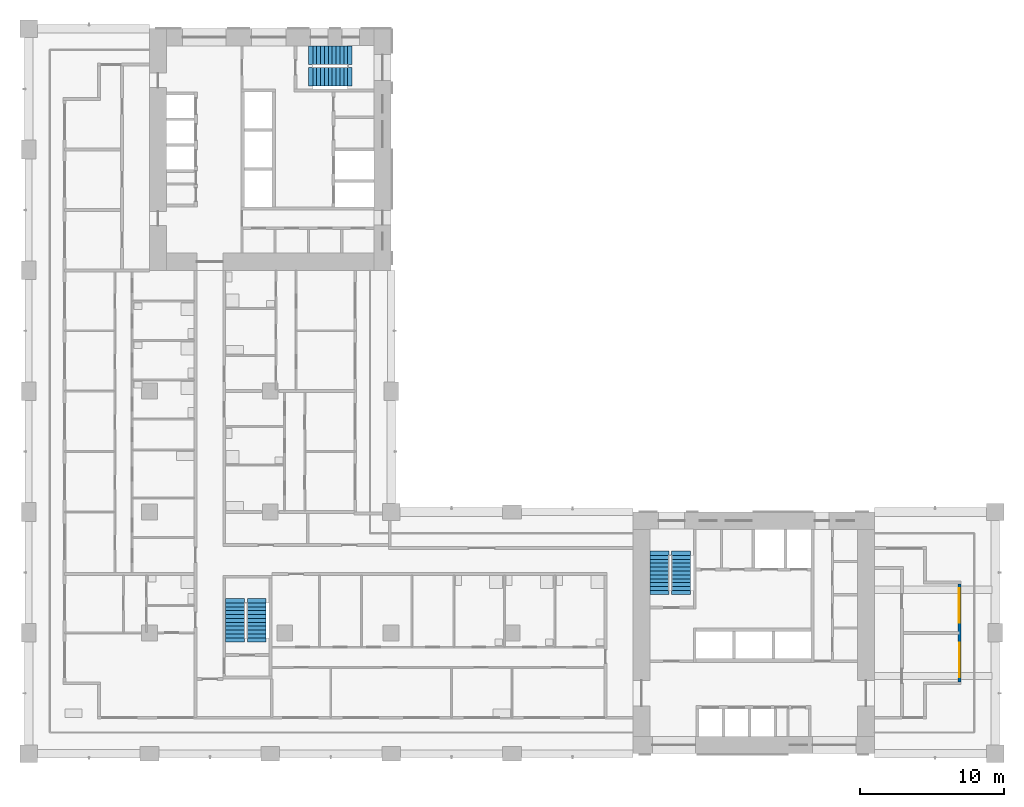
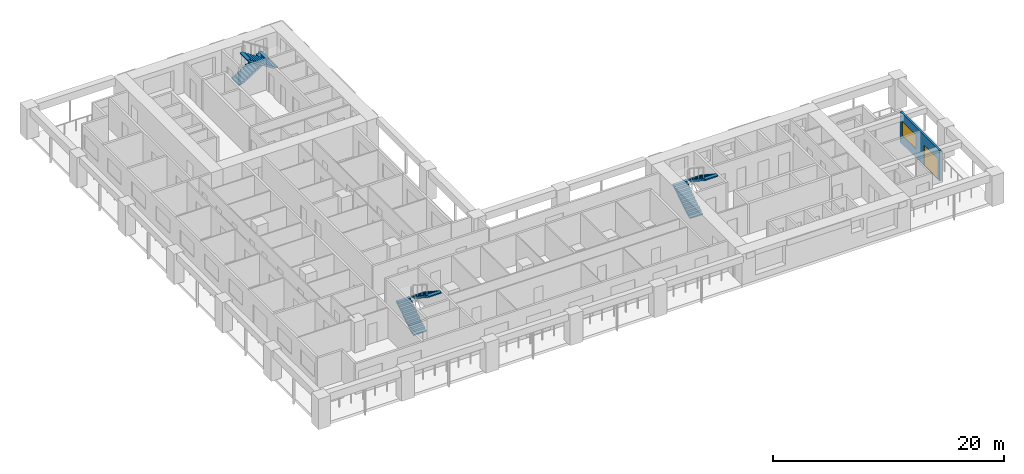
# One storey, part 9 of 17: 6 stair flights, 1 door, 1 wall, 1 window, 2 openings, 3 elements without a shape of their own.
"""IFC4 building model written with IfcOpenShell, lengths in metres."""

import ifcopenshell
import ifcopenshell.guid

model = None  # the IFC model being written
_history = None  # IfcOwnerHistory: only IFC2X3 demands one
_inside = {}  # id of a spatial element -> (the spatial element, [elements in it])
_under = {}  # id of a project, library or spatial element -> (it, [spatial elements below it])
_declared = {}  # id of a project -> (the project, [libraries it declares])
_typed = {}  # id of a type object -> (the type object, [elements of that type])
_made_of = {}  # id of a material, layer set ... -> (it, [elements and type objects made of it])


def new_model(schema):
    """Start an empty IFC model of exactly this schema.

    Asked for "IFC4X3", IfcOpenShell would pick the latest addendum, in which some entities
    have other attributes; the version numbers below select the first issue.
    IFC2X3 requires an IfcOwnerHistory on every rooted entity: one is made here for all.
    """
    global model, _history
    if schema == "IFC4X3":
        model = ifcopenshell.file(schema_version=(4, 3, 0, 0))
    else:
        model = ifcopenshell.file(schema=schema)
    _inside.clear()
    _under.clear()
    _declared.clear()
    _typed.clear()
    _made_of.clear()
    _history = None
    if model.schema == "IFC2X3":
        org = make("IfcOrganization", Name="unknown")
        user = make(
            "IfcPersonAndOrganization",
            ThePerson=make("IfcPerson", FamilyName="unknown"),
            TheOrganization=org,
        )
        app = make(
            "IfcApplication",
            ApplicationDeveloper=org,
            Version="unknown",
            ApplicationFullName="unknown",
            ApplicationIdentifier="unknown",
        )
        _history = make(
            "IfcOwnerHistory",
            OwningUser=user,
            OwningApplication=app,
            ChangeAction="ADDED",
            CreationDate=0,
        )
    return model


def make(cls, **values):
    """One entity of the class cls with the attributes given. An attribute that is None is left unset."""
    return model.create_entity(
        cls, **{name: value for name, value in values.items() if value is not None}
    )


def rooted(cls, **values):
    """An entity with a GlobalId (a new one), such as an element, a storey or a relation."""
    return make(cls, GlobalId=ifcopenshell.guid.new(), OwnerHistory=_history, **values)


def si_unit(unit_type, name, prefix=None):
    """IfcSIUnit, for example si_unit("LENGTHUNIT", "METRE", prefix="MILLI")."""
    return make("IfcSIUnit", UnitType=unit_type, Prefix=prefix, Name=name)


def assignment(units):
    """IfcUnitAssignment: the units of a project."""
    return None if units is None else make("IfcUnitAssignment", Units=units)


def point(xyz):
    """IfcCartesianPoint."""
    return None if xyz is None else make("IfcCartesianPoint", Coordinates=xyz)


def direction(xyz):
    """IfcDirection."""
    return None if xyz is None else make("IfcDirection", DirectionRatios=xyz)


def frame(location, z_axis=None, x_axis=None):
    """IfcAxis2Placement3D, a coordinate frame: its origin and axes. An axis left out is left unset."""
    return make(
        "IfcAxis2Placement3D",
        Location=point(location),
        Axis=direction(z_axis),
        RefDirection=direction(x_axis),
    )


def frame_2d(location, x_axis=None):
    """IfcAxis2Placement2D, a coordinate frame in the plane: its origin and x axis."""
    return make(
        "IfcAxis2Placement2D", Location=point(location), RefDirection=direction(x_axis)
    )


def origin():
    """The frame at (0, 0, 0) with its axes left unset."""
    return frame((0.0, 0.0, 0.0))


def place(relative_to, where):
    """IfcLocalPlacement: puts the frame where relative to a parent placement (None: the world)."""
    return make(
        "IfcLocalPlacement", PlacementRelTo=relative_to, RelativePlacement=where
    )


def context(
    kind, dimensions, precision=None, world=None, true_north=None, identifier=None
):
    """IfcGeometricRepresentationContext, for example the 3D "Model" context."""
    return make(
        "IfcGeometricRepresentationContext",
        ContextIdentifier=identifier,
        ContextType=kind,
        CoordinateSpaceDimension=dimensions,
        Precision=precision,
        WorldCoordinateSystem=world,
        TrueNorth=true_north,
    )


def subcontext(parent, identifier, kind, view, scale=None):
    """IfcGeometricRepresentationSubContext, for example "Body" below "Model"."""
    return make(
        "IfcGeometricRepresentationSubContext",
        ContextIdentifier=identifier,
        ContextType=kind,
        ParentContext=parent,
        TargetScale=scale,
        TargetView=view,
    )


def project(units=None, contexts=None):
    """IfcProject with its units and contexts."""
    return rooted(
        "IfcProject",
        Name="project",
        RepresentationContexts=contexts,
        UnitsInContext=assignment(units),
    )


def spatial(cls, under=None, at=None, **own):
    """A site, building, storey or space (cls), placed at a placement, below another one or the project."""
    s = rooted(cls, ObjectPlacement=at, **own)
    if under is not None:
        _under.setdefault(under.id(), (under, []))[1].append(s)
    return s


def polyline(points):
    """IfcPolyline through the points."""
    return make("IfcPolyline", Points=[point(p) for p in points])


def profile(cls, at=None, kind="AREA", **sizes):
    """A parametric profile (cls). Its sizes go by their IFC names, for example OverallWidth=200.0."""
    return make(cls, ProfileType=kind, Position=at, **sizes)


def rectangle(**sizes):
    """IfcRectangleProfileDef."""
    return profile("IfcRectangleProfileDef", **sizes)


def outline(outer, holes=None, kind="AREA"):
    """IfcArbitraryClosedProfileDef: a profile drawn as a closed curve; with holes, ...WithVoids."""
    if holes is None:
        return make("IfcArbitraryClosedProfileDef", ProfileType=kind, OuterCurve=outer)
    return make(
        "IfcArbitraryProfileDefWithVoids",
        ProfileType=kind,
        OuterCurve=outer,
        InnerCurves=holes,
    )


def extrude(swept, where, along, depth):
    """IfcExtrudedAreaSolid: the profile swept, set in the frame where, extruded along a direction by depth."""
    return make(
        "IfcExtrudedAreaSolid",
        SweptArea=swept,
        Position=where,
        ExtrudedDirection=direction(along),
        Depth=depth,
    )


def shape(context_of_items, identifier, shape_type, items):
    """IfcShapeRepresentation: the items that make up one representation, for example the "Body"."""
    return make(
        "IfcShapeRepresentation",
        ContextOfItems=context_of_items,
        RepresentationIdentifier=identifier,
        RepresentationType=shape_type,
        Items=items,
    )


def material(Name=None, Category=None):
    """IfcMaterial."""
    return make("IfcMaterial", Name=Name, Category=Category)


def layer(
    of_material, thickness, ventilated=None, Name=None, Category=None, Priority=None
):
    """IfcMaterialLayer: one layer of a wall or slab, of a material (None: an air gap)."""
    return make(
        "IfcMaterialLayer",
        Material=of_material,
        LayerThickness=thickness,
        IsVentilated=ventilated,
        Name=Name,
        Category=Category,
        Priority=Priority,
    )


def layer_set(layers, Name=None):
    """IfcMaterialLayerSet."""
    return make("IfcMaterialLayerSet", MaterialLayers=layers, LayerSetName=Name)


def made_of(thing, what):
    """Note that an element or type object is made of a material, layer set ...; save() writes the relation."""
    if what is not None:
        _made_of.setdefault(what.id(), (what, []))[1].append(thing)
    return thing


def type_object(cls, material=None, **own):
    """A type object (cls), such as IfcWallType, which elements share."""
    return made_of(rooted(cls, **own), material)


def element(
    cls,
    number,
    at=None,
    inside=None,
    cuts=None,
    type_object=None,
    material=None,
    context=None,
    identifier="Body",
    shape_type=None,
    held_by="IfcProductDefinitionShape",
    body=None,
    shapes=None,
    **own,
):
    """One element of the class cls, such as IfcWall. Its Tag is "e" and its number.

    at: its placement. inside: the storey or other place that contains it. cuts: it is an
    opening in that element (IfcRelVoidsElement). A single representation is given by context,
    identifier, shape_type and body (its items); several are given by shapes. held_by: the class
    of the entity that holds the representations. save() writes the other relations.
    """
    e = rooted(cls, Tag="e%d" % number, ObjectPlacement=at, **own)
    if body is not None:
        shapes = [shape(context, identifier, shape_type, body)]
    if shapes is not None:
        e.Representation = make(held_by, Representations=shapes)
    if inside is not None:
        _inside.setdefault(inside.id(), (inside, []))[1].append(e)
    if cuts is not None:
        rooted(
            "IfcRelVoidsElement", RelatingBuildingElement=cuts, RelatedOpeningElement=e
        )
    if type_object is not None:
        _typed.setdefault(type_object.id(), (type_object, []))[1].append(e)
    return made_of(e, material)


def fill(opening, filler):
    """IfcRelFillsElement: the door or window that sits in an opening."""
    return rooted(
        "IfcRelFillsElement",
        RelatingOpeningElement=opening,
        RelatedBuildingElement=filler,
    )


def aggregate(whole, parts):
    """IfcRelAggregates: a whole, such as a stair, and the parts it consists of."""
    return rooted("IfcRelAggregates", RelatingObject=whole, RelatedObjects=parts)


def save(model, path):
    """Write the relations noted so far, then the file.

    IfcRelAggregates (storeys below a building ...), IfcRelContainedInSpatialStructure (elements
    in a storey), IfcRelDefinesByType, IfcRelAssociatesMaterial and IfcRelDeclares: one each for
    every whole, place, type object, material and project.
    """
    for whole, parts in _under.values():
        aggregate(whole, parts)
    for where, things in _inside.values():
        rooted(
            "IfcRelContainedInSpatialStructure",
            RelatedElements=things,
            RelatingStructure=where,
        )
    for kind, things in _typed.values():
        rooted("IfcRelDefinesByType", RelatedObjects=things, RelatingType=kind)
    for what, things in _made_of.values():
        rooted("IfcRelAssociatesMaterial", RelatedObjects=things, RelatingMaterial=what)
    for by, libraries in _declared.values():
        rooted("IfcRelDeclares", RelatingContext=by, RelatedDefinitions=libraries)
    model.write(path)


model = new_model("IFC4")

# Units and contexts
model_context = context("Model", 3, precision=1e-05, world=origin(), true_north=direction((0.0, 1.0)))
body_context = subcontext(model_context, "Body", "Model", "MODEL_VIEW")
ifc_project = project(units=[si_unit("LENGTHUNIT", "METRE"), si_unit("AREAUNIT", "SQUARE_METRE"), si_unit("VOLUMEUNIT", "CUBIC_METRE"), si_unit("PLANEANGLEUNIT", "RADIAN"), si_unit("MASSUNIT", "GRAM", prefix="KILO")], contexts=[model_context])

# Site, building, storey
site_placement = place(None, origin())
site = spatial("IfcSite", under=ifc_project, at=site_placement, CompositionType="ELEMENT")
building_placement = place(site_placement, origin())
building = spatial("IfcBuilding", under=site, at=building_placement, Name="Vermilion Gate Residences", CompositionType="ELEMENT")
storey_placement = place(building_placement, frame((0.0, 0.0, 91.699951171875)))
storey = spatial("IfcBuildingStorey", under=building, at=storey_placement, Name="L22", CompositionType="ELEMENT", Elevation=91.699951171875)

# Wall, openings, door, window
ifc_material_1 = material(Name="Insulated steel stud wall with terracotta rainscreen", Category="masonry")
ifc_layer = layer(ifc_material_1, 0.199951171875)
ifc_layer_set = layer_set([ifc_layer], Name="EXTERNAL WALL 200 TERRACOTTA RAINSCREEN")
wall_type = type_object("IfcWallType", Name="EXTERNAL WALL 200 TERRACOTTA RAINSCREEN", PredefinedType="SOLIDWALL", material=ifc_layer_set)
wall_placement = place(storey_placement, frame((64.699951171875, 13.39990234375, 0.0), z_axis=(0.0, 0.0, 1.0), x_axis=(0.0, 1.0, 0.0)))
wall = element("IfcWall", 1, at=wall_placement, inside=storey, type_object=wall_type, Name="External wall", PredefinedType="SOLIDWALL", context=body_context, shape_type="SweptSolid", body=[
    extrude(rectangle(XDim=6.800048828125, YDim=0.199951171875, at=frame_2d((3.39990234375, 0.0))), origin(), (0.0, 0.0, 1.0), 3.219970703125),
])
opening_1_placement = place(wall_placement, frame((4.10009765625, 0.0, 0.89990234375)))
opening_1 = element("IfcOpeningElement", 2, at=opening_1_placement, cuts=wall, Name="Opening WE22022", PredefinedType="OPENING", context=body_context, shape_type="SweptSolid", body=[
    extrude(rectangle(XDim=2.39990234375, YDim=1.5, at=frame_2d((1.199951171875, 0.75))), frame((0.0, 0.10986328125, 0.0), z_axis=(0.0, -1.0, 0.0), x_axis=(1.0, 0.0, 0.0)), (0.0, 0.0, 1.0), 0.219970703125),
])
opening_2_placement = place(wall_placement, frame((0.300048828125, 0.0, 0.0)))
opening_2 = element("IfcOpeningElement", 3, at=opening_2_placement, cuts=wall, Name="Opening DE22028", PredefinedType="OPENING", context=body_context, shape_type="SweptSolid", body=[
    extrude(rectangle(XDim=2.39990234375, YDim=2.199951171875, at=frame_2d((1.199951171875, 1.10009765625))), frame((0.0, 0.10986328125, 0.0), z_axis=(0.0, -1.0, 0.0), x_axis=(1.0, 0.0, 0.0)), (0.0, 0.0, 1.0), 0.219970703125),
])
ifc_material_2 = material(Name="Aluminium and clear glass", Category="aluminium")
door_type = type_object("IfcDoorType", Name="SLIDING GLAZED DOOR 2400 X 2200", OperationType="DOUBLE_DOOR_SLIDING", PredefinedType="DOOR", material=ifc_material_2)
door_placement = place(opening_2_placement, origin())
door = element("IfcDoor", 4, at=door_placement, inside=storey, type_object=door_type, Name="Loggia sliding door", OperationType="DOUBLE_DOOR_SLIDING", OverallHeight=2.199951171875, OverallWidth=2.39990234375, PredefinedType="DOOR", context=body_context, shape_type="SweptSolid", body=[
    extrude(rectangle(XDim=2.39990234375, YDim=2.199951171875, at=frame_2d((1.199951171875, 1.10009765625))), frame((0.0, 0.02490234375, 0.0), z_axis=(0.0, -1.0, 0.0), x_axis=(1.0, 0.0, 0.0)), (0.0, 0.0, 1.0), 0.050048828125),
])
fill(opening_2, door)
ifc_material_3 = material(Name="Aluminium and clear glass", Category="aluminium")
window_type = type_object("IfcWindowType", Name="WINDOW 2400 X 1500", PartitioningType="SINGLE_PANEL", PredefinedType="WINDOW", material=ifc_material_3)
window_placement = place(opening_1_placement, origin())
window = element("IfcWindow", 5, at=window_placement, inside=storey, type_object=window_type, Name="Window", OverallHeight=1.5, OverallWidth=2.39990234375, PartitioningType="SINGLE_PANEL", PredefinedType="WINDOW", context=body_context, shape_type="SweptSolid", body=[
    extrude(rectangle(XDim=2.39990234375, YDim=1.5, at=frame_2d((1.199951171875, 0.75))), frame((0.0, 0.030029296875, 0.0), z_axis=(0.0, -1.0, 0.0), x_axis=(1.0, 0.0, 0.0)), (0.0, 0.0, 1.0), 0.06005859375),
])
fill(opening_1, window)

# Stair, stair flights
ifc_material_4 = material(Name="Concrete C50", Category="concrete")
stair_type = type_object("IfcStairType", Name="SPECIAL ESCAPE STAIR 1300", PredefinedType="HALF_TURN_STAIR", material=ifc_material_4)
stair_1_placement = place(storey_placement, origin())
stair_1 = element("IfcStair", 6, at=stair_1_placement, inside=storey, type_object=stair_type, Name="Special escape stair STA1-22", PredefinedType="HALF_TURN_STAIR")
ifc_material_5 = material(Name="Concrete C50", Category="concrete")
stair_flight_type = type_object("IfcStairFlightType", Name="STAIR FLIGHT 1300 RC C50", PredefinedType="STRAIGHT", material=ifc_material_5)
stair_flight_1_placement = place(storey_placement, frame((43.85009765625, 19.75, 0.0), z_axis=(0.0, 0.0, 1.0), x_axis=(0.0, 1.0, 0.0)))
stair_flight_1 = element("IfcStairFlight", 7, at=stair_flight_1_placement, type_object=stair_flight_type, Name="STA1-22 flight 1", NumberOfRisers=10, NumberOfTreads=9, PredefinedType="STRAIGHT", RiserHeight=0.175, TreadLength=0.27, context=body_context, shape_type="SweptSolid", body=[
    extrude(outline(polyline([(-0.300048828125, -0.14990234375), (-0.300048828125, -0.030029296875), (0.0, 0.0), (0.0, 0.175048828125), (0.27001953125, 0.175048828125), (0.27001953125, 0.35009765625), (0.5400390625, 0.35009765625), (0.5400390625, 0.52490234375), (0.81005859375, 0.52490234375), (0.81005859375, 0.699951171875), (1.080078125, 0.699951171875), (1.080078125, 0.875), (1.35009765625, 0.875), (1.35009765625, 1.050048828125), (1.6201171875, 1.050048828125), (1.6201171875, 1.22509765625), (1.889892578125, 1.22509765625), (1.889892578125, 1.39990234375), (2.159912109375, 1.39990234375), (2.159912109375, 1.574951171875), (2.429931640625, 1.574951171875), (2.429931640625, 1.75), (2.72998046875, 1.719970703125), (2.72998046875, 1.60009765625), (2.429931640625, 1.396484375), (0.275634765625, 0.0), (-0.300048828125, -0.14990234375)])), frame((0.0, 0.64990234375, 0.0), z_axis=(0.0, -1.0, 0.0), x_axis=(1.0, 0.0, 0.0)), (0.0, 0.0, 1.0), 1.300048828125),
])
stair_flight_2_placement = place(storey_placement, frame((45.35009765625, 22.179931640625, 1.75), z_axis=(0.0, 0.0, 1.0), x_axis=(0.0, -1.0, 0.0)))
stair_flight_2 = element("IfcStairFlight", 8, at=stair_flight_2_placement, type_object=stair_flight_type, Name="STA1-22 flight 2", NumberOfRisers=10, NumberOfTreads=9, PredefinedType="STRAIGHT", RiserHeight=0.175, TreadLength=0.27, context=body_context, shape_type="SweptSolid", body=[
    extrude(outline(polyline([(-0.300048828125, -0.14990234375), (-0.300048828125, -0.030029296875), (0.0, 0.0), (0.0, 0.175048828125), (0.27001953125, 0.175048828125), (0.27001953125, 0.35009765625), (0.5400390625, 0.35009765625), (0.5400390625, 0.52490234375), (0.81005859375, 0.52490234375), (0.81005859375, 0.699951171875), (1.080078125, 0.699951171875), (1.080078125, 0.875), (1.35009765625, 0.875), (1.35009765625, 1.050048828125), (1.6201171875, 1.050048828125), (1.6201171875, 1.22509765625), (1.889892578125, 1.22509765625), (1.889892578125, 1.39990234375), (2.159912109375, 1.39990234375), (2.159912109375, 1.574951171875), (2.429931640625, 1.574951171875), (2.429931640625, 1.75), (2.72998046875, 1.719970703125), (2.72998046875, 1.60009765625), (2.429931640625, 1.396484375), (0.275634765625, 0.0), (-0.300048828125, -0.14990234375)])), frame((0.0, 0.64990234375, 0.0), z_axis=(0.0, -1.0, 0.0), x_axis=(1.0, 0.0, 0.0)), (0.0, 0.0, 1.0), 1.300048828125),
])
aggregate(stair_1, [stair_flight_1, stair_flight_2])

stair_2_placement = place(storey_placement, origin())
stair_2 = element("IfcStair", 9, at=stair_2_placement, inside=storey, type_object=stair_type, Name="Special escape stair STB1-22", PredefinedType="HALF_TURN_STAIR")
stair_flight_3_placement = place(storey_placement, frame((19.75, 56.949951171875, 0.0), z_axis=(0.0, 0.0, 1.0), x_axis=(1.0, 0.0, 0.0)))
stair_flight_3 = element("IfcStairFlight", 10, at=stair_flight_3_placement, type_object=stair_flight_type, Name="STB1-22 flight 1", NumberOfRisers=10, NumberOfTreads=9, PredefinedType="STRAIGHT", RiserHeight=0.175, TreadLength=0.27, context=body_context, shape_type="SweptSolid", body=[
    extrude(outline(polyline([(-0.300048828125, -0.14990234375), (-0.300048828125, -0.030029296875), (0.0, 0.0), (0.0, 0.175048828125), (0.27001953125, 0.175048828125), (0.27001953125, 0.35009765625), (0.5400390625, 0.35009765625), (0.5400390625, 0.52490234375), (0.81005859375, 0.52490234375), (0.81005859375, 0.699951171875), (1.080078125, 0.699951171875), (1.080078125, 0.875), (1.35009765625, 0.875), (1.35009765625, 1.050048828125), (1.6201171875, 1.050048828125), (1.6201171875, 1.22509765625), (1.889892578125, 1.22509765625), (1.889892578125, 1.39990234375), (2.159912109375, 1.39990234375), (2.159912109375, 1.574951171875), (2.429931640625, 1.574951171875), (2.429931640625, 1.75), (2.72998046875, 1.719970703125), (2.72998046875, 1.60009765625), (2.429931640625, 1.396484375), (0.275634765625, 0.0), (-0.300048828125, -0.14990234375)])), frame((0.0, 0.64990234375, 0.0), z_axis=(0.0, -1.0, 0.0), x_axis=(1.0, 0.0, 0.0)), (0.0, 0.0, 1.0), 1.300048828125),
])
stair_flight_4_placement = place(storey_placement, frame((22.179931640625, 55.449951171875, 1.75), z_axis=(0.0, 0.0, 1.0), x_axis=(-1.0, 0.0, 0.0)))
stair_flight_4 = element("IfcStairFlight", 11, at=stair_flight_4_placement, type_object=stair_flight_type, Name="STB1-22 flight 2", NumberOfRisers=10, NumberOfTreads=9, PredefinedType="STRAIGHT", RiserHeight=0.175, TreadLength=0.27, context=body_context, shape_type="SweptSolid", body=[
    extrude(outline(polyline([(-0.300048828125, -0.14990234375), (-0.300048828125, -0.030029296875), (0.0, 0.0), (0.0, 0.175048828125), (0.27001953125, 0.175048828125), (0.27001953125, 0.35009765625), (0.5400390625, 0.35009765625), (0.5400390625, 0.52490234375), (0.81005859375, 0.52490234375), (0.81005859375, 0.699951171875), (1.080078125, 0.699951171875), (1.080078125, 0.875), (1.35009765625, 0.875), (1.35009765625, 1.050048828125), (1.6201171875, 1.050048828125), (1.6201171875, 1.22509765625), (1.889892578125, 1.22509765625), (1.889892578125, 1.39990234375), (2.159912109375, 1.39990234375), (2.159912109375, 1.574951171875), (2.429931640625, 1.574951171875), (2.429931640625, 1.75), (2.72998046875, 1.719970703125), (2.72998046875, 1.60009765625), (2.429931640625, 1.396484375), (0.275634765625, 0.0), (-0.300048828125, -0.14990234375)])), frame((0.0, 0.64990234375, 0.0), z_axis=(0.0, -1.0, 0.0), x_axis=(1.0, 0.0, 0.0)), (0.0, 0.0, 1.0), 1.300048828125),
])
aggregate(stair_2, [stair_flight_3, stair_flight_4])

stair_3_placement = place(storey_placement, origin())
stair_3 = element("IfcStair", 12, at=stair_3_placement, inside=storey, type_object=stair_type, Name="Special escape stair STC1-22", PredefinedType="HALF_TURN_STAIR")
stair_flight_5_placement = place(storey_placement, frame((14.35009765625, 16.449951171875, 0.0), z_axis=(0.0, 0.0, 1.0), x_axis=(0.0, 1.0, 0.0)))
stair_flight_5 = element("IfcStairFlight", 13, at=stair_flight_5_placement, type_object=stair_flight_type, Name="STC1-22 flight 1", NumberOfRisers=10, NumberOfTreads=9, PredefinedType="STRAIGHT", RiserHeight=0.175, TreadLength=0.27, context=body_context, shape_type="SweptSolid", body=[
    extrude(outline(polyline([(-0.300048828125, -0.14990234375), (-0.300048828125, -0.030029296875), (0.0, 0.0), (0.0, 0.175048828125), (0.27001953125, 0.175048828125), (0.27001953125, 0.35009765625), (0.5400390625, 0.35009765625), (0.5400390625, 0.52490234375), (0.81005859375, 0.52490234375), (0.81005859375, 0.699951171875), (1.080078125, 0.699951171875), (1.080078125, 0.875), (1.35009765625, 0.875), (1.35009765625, 1.050048828125), (1.6201171875, 1.050048828125), (1.6201171875, 1.22509765625), (1.889892578125, 1.22509765625), (1.889892578125, 1.39990234375), (2.159912109375, 1.39990234375), (2.159912109375, 1.574951171875), (2.429931640625, 1.574951171875), (2.429931640625, 1.75), (2.72998046875, 1.719970703125), (2.72998046875, 1.60009765625), (2.429931640625, 1.396484375), (0.275634765625, 0.0), (-0.300048828125, -0.14990234375)])), frame((0.0, 0.64990234375, 0.0), z_axis=(0.0, -1.0, 0.0), x_axis=(1.0, 0.0, 0.0)), (0.0, 0.0, 1.0), 1.300048828125),
])
stair_flight_6_placement = place(storey_placement, frame((15.85009765625, 18.8798828125, 1.75), z_axis=(0.0, 0.0, 1.0), x_axis=(0.0, -1.0, 0.0)))
stair_flight_6 = element("IfcStairFlight", 14, at=stair_flight_6_placement, type_object=stair_flight_type, Name="STC1-22 flight 2", NumberOfRisers=10, NumberOfTreads=9, PredefinedType="STRAIGHT", RiserHeight=0.175, TreadLength=0.27, context=body_context, shape_type="SweptSolid", body=[
    extrude(outline(polyline([(-0.300048828125, -0.14990234375), (-0.300048828125, -0.030029296875), (0.0, 0.0), (0.0, 0.175048828125), (0.27001953125, 0.175048828125), (0.27001953125, 0.35009765625), (0.5400390625, 0.35009765625), (0.5400390625, 0.52490234375), (0.81005859375, 0.52490234375), (0.81005859375, 0.699951171875), (1.080078125, 0.699951171875), (1.080078125, 0.875), (1.35009765625, 0.875), (1.35009765625, 1.050048828125), (1.6201171875, 1.050048828125), (1.6201171875, 1.22509765625), (1.889892578125, 1.22509765625), (1.889892578125, 1.39990234375), (2.159912109375, 1.39990234375), (2.159912109375, 1.574951171875), (2.429931640625, 1.574951171875), (2.429931640625, 1.75), (2.72998046875, 1.719970703125), (2.72998046875, 1.60009765625), (2.429931640625, 1.396484375), (0.275634765625, 0.0), (-0.300048828125, -0.14990234375)])), frame((0.0, 0.64990234375, 0.0), z_axis=(0.0, -1.0, 0.0), x_axis=(1.0, 0.0, 0.0)), (0.0, 0.0, 1.0), 1.300048828125),
])
aggregate(stair_3, [stair_flight_5, stair_flight_6])

save(model, "model.ifc")
